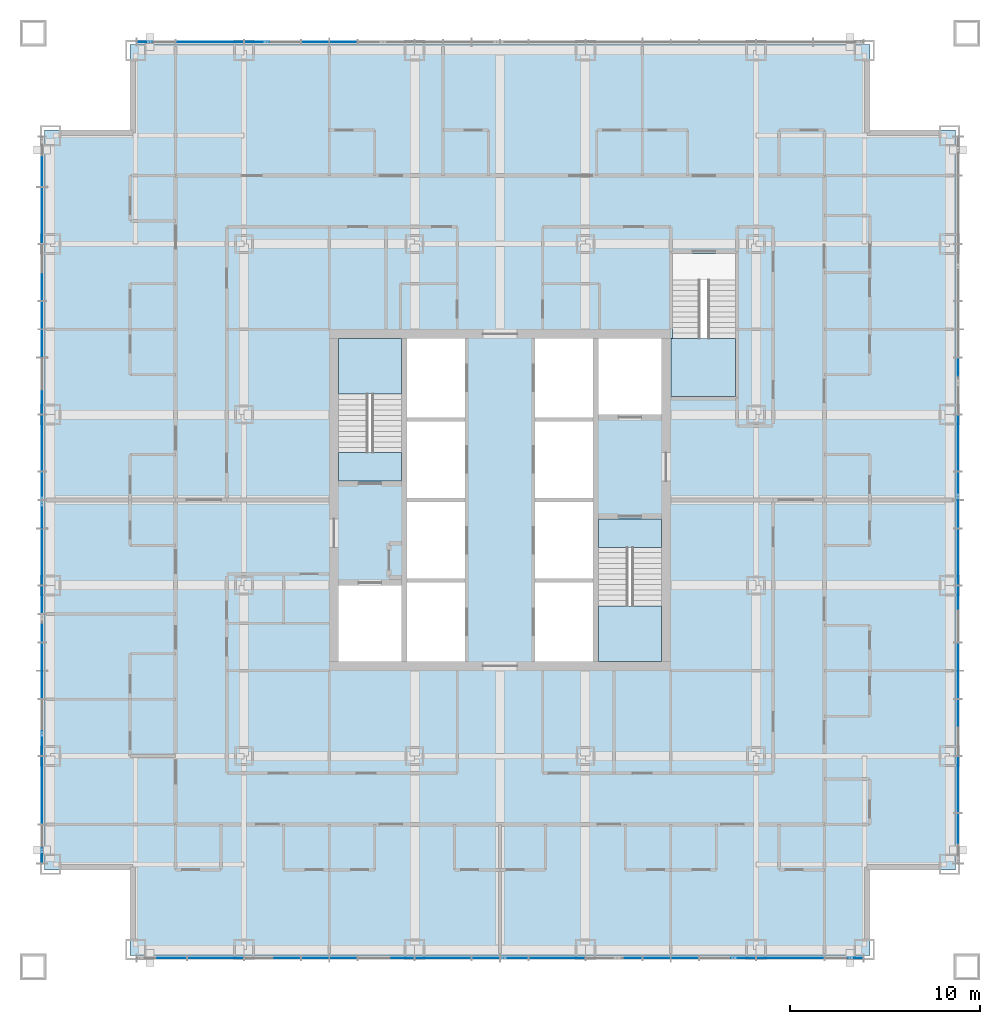
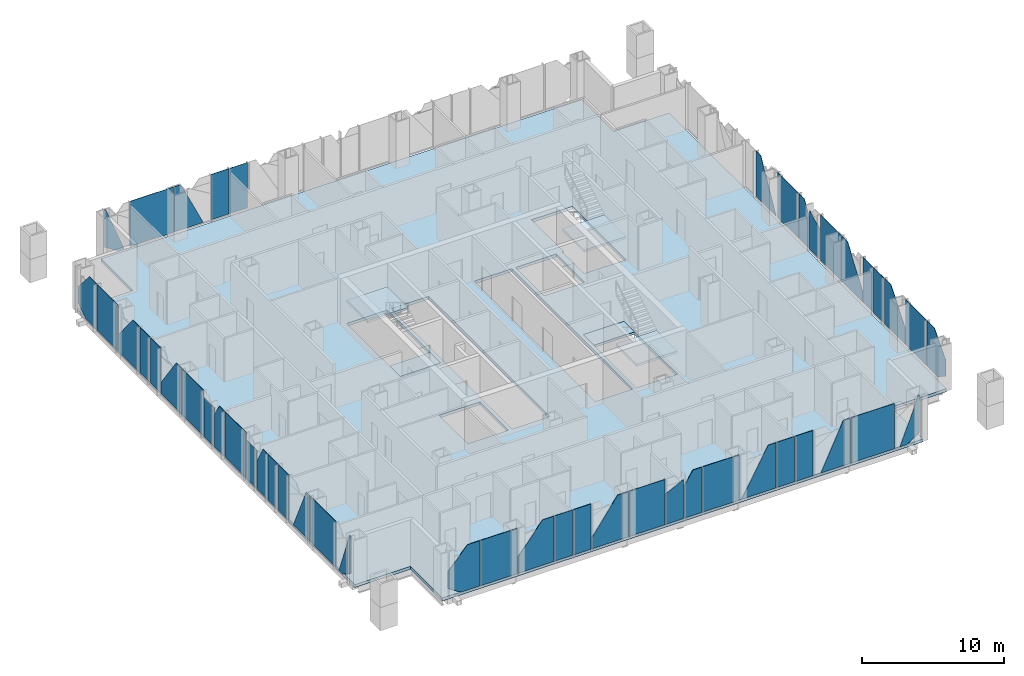
# One storey, part 7 of 23: 49 plates, 6 slabs, 7 elements without a shape of their own.
"""IFC4 building model written with IfcOpenShell, lengths in metres."""

from ifc_helpers import new_model, si_unit, direction, frame, origin, origin_2d, place, context, subcontext, project, spatial, polyline, rectangle, outline, extrude, material, layer, layer_set, type_object, element, aggregate, save


model = new_model("IFC4")

# Units and contexts
model_context = context("Model", 3, precision=1e-05, world=origin(), true_north=direction((0.0, 1.0)))
body_context = subcontext(model_context, "Body", "Model", "MODEL_VIEW")
ifc_project = project(units=[si_unit("LENGTHUNIT", "METRE"), si_unit("AREAUNIT", "SQUARE_METRE"), si_unit("VOLUMEUNIT", "CUBIC_METRE"), si_unit("PLANEANGLEUNIT", "RADIAN"), si_unit("MASSUNIT", "GRAM", prefix="KILO")], contexts=[model_context])

# Site, building, storey
site_placement = place(None, origin())
site = spatial("IfcSite", under=ifc_project, at=site_placement, CompositionType="ELEMENT")
building_placement = place(site_placement, origin())
building = spatial("IfcBuilding", under=site, at=building_placement, Name="Malebo Sky Hospital", CompositionType="ELEMENT")
storey_placement = place(building_placement, frame((0.0, 0.0, 168.0)))
storey = spatial("IfcBuildingStorey", under=building, at=storey_placement, Name="L40", CompositionType="ELEMENT", Elevation=168.0)

# Slab
ifc_material_1 = material(Name="Concrete C40/50", Category="concrete")
ifc_layer_1 = layer(ifc_material_1, 0.25)
ifc_layer_set_1 = layer_set([ifc_layer_1], Name="COMPOSITE FLOOR SLAB 250")
slab_type_1 = type_object("IfcSlabType", Name="COMPOSITE FLOOR SLAB 250", PredefinedType="FLOOR", material=ifc_layer_set_1)
slab_1_placement = place(storey_placement, frame((0.0, 0.0, -0.25)))
element("IfcSlab", 1, at=slab_1_placement, inside=storey, type_object=slab_type_1, Name="Floor slab L40", PredefinedType="FLOOR", context=body_context, shape_type="SweptSolid", body=[
    extrude(outline(polyline([(40.5, 86.0), (40.5, 81.5), (36.0, 81.5), (36.0, 42.5), (40.5, 42.5), (40.5, 38.0), (79.5, 38.0), (79.5, 42.5), (84.0, 42.5), (84.0, 81.5), (79.5, 81.5), (79.5, 86.0), (40.5, 86.0)]), holes=[polyline([(55.10009765625, 70.5), (58.14990234375, 70.5), (58.14990234375, 53.5), (55.10009765625, 53.5), (55.10009765625, 70.5)]), polyline([(64.89990234375, 70.5), (64.89990234375, 53.5), (61.85009765625, 53.5), (61.85009765625, 70.5), (64.89990234375, 70.5)]), polyline([(54.800048828125, 63.0), (51.5, 63.0), (51.5, 70.5), (54.800048828125, 70.5), (54.800048828125, 63.0)]), polyline([(51.5, 53.5), (51.5, 57.5), (54.800048828125, 57.5), (54.800048828125, 53.5), (51.5, 53.5)]), polyline([(65.199951171875, 61.0), (68.5, 61.0), (68.5, 53.5), (65.199951171875, 53.5), (65.199951171875, 61.0)]), polyline([(68.5, 70.5), (68.5, 66.5), (65.199951171875, 66.5), (65.199951171875, 70.5), (68.5, 70.5)]), polyline([(69.0, 67.449951171875), (69.0, 70.52001953125), (69.10009765625, 70.52001953125), (69.10009765625, 75.0), (72.39990234375, 75.0), (72.39990234375, 67.449951171875), (69.10009765625, 67.449951171875), (69.0, 67.449951171875)])]), origin(), (0.0, 0.0, 1.0), 0.25),
])

# Stair, slabs
stair_type_1 = type_object("IfcStairType", Name="HALF-TURN STAIR 1500 R167", PredefinedType="HALF_TURN_STAIR", material=ifc_material_1)
stair_1_placement = place(storey_placement, origin())
stair_1 = element("IfcStair", 2, at=stair_1_placement, inside=storey, type_object=stair_type_1, Name="Stair S1 L40 type ST1", PredefinedType="HALF_TURN_STAIR")
ifc_layer_2 = layer(ifc_material_1, 0.199951171875)
ifc_layer_set_2 = layer_set([ifc_layer_2], Name="STAIR LANDING 200")
slab_type_2 = type_object("IfcSlabType", Name="STAIR LANDING 200", PredefinedType="LANDING", material=ifc_layer_set_2)
slab_2_placement = place(storey_placement, frame((0.0, 0.0, -0.199951171875)))
slab_2 = element("IfcSlab", 3, at=slab_2_placement, type_object=slab_type_2, Name="S1 landing 1", PredefinedType="LANDING", context=body_context, shape_type="SweptSolid", body=[
    extrude(outline(polyline([(51.5, 63.0), (54.800048828125, 63.0), (54.800048828125, 64.5), (51.5, 64.5), (51.5, 63.0)])), origin(), (0.0, 0.0, 1.0), 0.199951171875),
])
slab_3_placement = place(storey_placement, frame((0.0, 0.0, 1.800048828125)))
slab_3 = element("IfcSlab", 4, at=slab_3_placement, type_object=slab_type_2, Name="S1 landing 2", PredefinedType="LANDING", context=body_context, shape_type="SweptSolid", body=[
    extrude(outline(polyline([(51.5, 67.580078125), (54.800048828125, 67.580078125), (54.800048828125, 70.5), (51.5, 70.5), (51.5, 67.580078125)])), origin(), (0.0, 0.0, 1.0), 0.199951171875),
])
aggregate(stair_1, [slab_2, slab_3])

stair_2_placement = place(storey_placement, origin())
stair_2 = element("IfcStair", 5, at=stair_2_placement, inside=storey, type_object=stair_type_1, Name="Stair S2 L40 type ST1", PredefinedType="HALF_TURN_STAIR")
slab_4_placement = place(storey_placement, frame((0.0, 0.0, -0.199951171875)))
slab_4 = element("IfcSlab", 6, at=slab_4_placement, type_object=slab_type_2, Name="S2 landing 1", PredefinedType="LANDING", context=body_context, shape_type="SweptSolid", body=[
    extrude(outline(polyline([(65.199951171875, 59.5), (68.5, 59.5), (68.5, 61.0), (65.199951171875, 61.0), (65.199951171875, 59.5)])), origin(), (0.0, 0.0, 1.0), 0.199951171875),
])
slab_5_placement = place(storey_placement, frame((0.0, 0.0, 1.800048828125)))
slab_5 = element("IfcSlab", 7, at=slab_5_placement, type_object=slab_type_2, Name="S2 landing 2", PredefinedType="LANDING", context=body_context, shape_type="SweptSolid", body=[
    extrude(outline(polyline([(65.199951171875, 53.5), (68.5, 53.5), (68.5, 56.419921875), (65.199951171875, 56.419921875), (65.199951171875, 53.5)])), origin(), (0.0, 0.0, 1.0), 0.199951171875),
])
aggregate(stair_2, [slab_4, slab_5])

# Stair, slab
stair_type_2 = type_object("IfcStairType", Name="HALF-TURN STAIR 1400 R167", PredefinedType="HALF_TURN_STAIR", material=ifc_material_1)
stair_3_placement = place(storey_placement, origin())
stair_3 = element("IfcStair", 8, at=stair_3_placement, inside=storey, type_object=stair_type_2, Name="Stair S3 L40 type ST1B", PredefinedType="HALF_TURN_STAIR")
slab_6_placement = place(storey_placement, frame((0.0, 0.0, 1.800048828125)))
slab_6 = element("IfcSlab", 9, at=slab_6_placement, type_object=slab_type_2, Name="S3 landing 2", PredefinedType="LANDING", context=body_context, shape_type="SweptSolid", body=[
    extrude(outline(polyline([(69.0, 67.449951171875), (72.39990234375, 67.449951171875), (72.39990234375, 70.52001953125), (69.0, 70.52001953125), (69.0, 67.449951171875)])), origin(), (0.0, 0.0, 1.0), 0.199951171875),
])
aggregate(stair_3, [slab_6])

# Curtain wall, plates
ifc_material_2 = material(Name="Anodised aluminium, natural silver", Category="aluminium")
ifc_layer_3 = layer(ifc_material_2, 0.25)
ifc_layer_set_3 = layer_set([ifc_layer_3], Name="WARD CURTAIN WALL NORTH AND SOUTH")
curtain_wall_type_1 = type_object("IfcCurtainWallType", Name="WARD CURTAIN WALL NORTH AND SOUTH", PredefinedType="NOTDEFINED", material=ifc_layer_set_3)
curtain_wall_1_placement = place(storey_placement, origin())
curtain_wall_1 = element("IfcCurtainWall", 10, at=curtain_wall_1_placement, inside=storey, type_object=curtain_wall_type_1, Name="NS curtain wall N", PredefinedType="NOTDEFINED")
ifc_material_3 = material(Name="Clear low-iron double glazing", Category="glass")
ifc_layer_4 = layer(ifc_material_3, 0.031982421875)
ifc_layer_set_4 = layer_set([ifc_layer_4], Name="VISION PANEL CLEAR 32")
plate_type = type_object("IfcPlateType", Name="VISION PANEL CLEAR 32", PredefinedType="CURTAIN_PANEL", material=ifc_layer_set_4)
plate_1_placement = place(storey_placement, frame((41.67724609375, 86.135009765625, 0.10009765625), z_axis=(0.0, 0.0, 1.0), x_axis=(1.0, 0.0, 0.0)))
plate_1 = element("IfcPlate", 11, at=plate_1_placement, type_object=plate_type, Name="Panel 1", PredefinedType="CURTAIN_PANEL", context=body_context, shape_type="SweptSolid", body=[
    extrude(outline(polyline([(0.25146484375, 0.0), (0.80224609375, 0.0), (-0.70458984375, 3.889892578125), (-0.80224609375, 3.889892578125), (-0.80224609375, 0.685302734375), (0.25146484375, 0.0)])), frame((0.0, 0.01611328125, 0.0), z_axis=(0.0, -1.0, 0.0), x_axis=(1.0, 0.0, 0.0)), (0.0, 0.0, 1.0), 0.031982421875),
])
plate_2_placement = place(storey_placement, frame((44.699951171875, 86.135009765625, 0.10009765625), z_axis=(0.0, 0.0, 1.0), x_axis=(1.0, 0.0, 0.0)))
plate_2 = element("IfcPlate", 12, at=plate_2_placement, type_object=plate_type, Name="Panel 2", PredefinedType="CURTAIN_PANEL", context=body_context, shape_type="SweptSolid", body=[
    extrude(rectangle(XDim=3.52490234375, YDim=0.031982421875, at=origin_2d()), origin(), (0.0, 0.0, 1.0), 3.889892578125),
])
plate_3_placement = place(storey_placement, frame((47.716796875, 86.135009765625, 0.10009765625), z_axis=(0.0, 0.0, 1.0), x_axis=(1.0, 0.0, 0.0)))
plate_3 = element("IfcPlate", 13, at=plate_3_placement, type_object=plate_type, Name="Panel 3", PredefinedType="CURTAIN_PANEL", context=body_context, shape_type="SweptSolid", body=[
    extrude(outline(polyline([(-1.17919921875, 0.0), (1.17919921875, 0.0), (-0.648193359375, 3.889892578125), (-1.17919921875, 3.889892578125), (-1.17919921875, 0.0)])), frame((0.0, 0.01611328125, 0.0), z_axis=(0.0, -1.0, 0.0), x_axis=(1.0, 0.0, 0.0)), (0.0, 0.0, 1.0), 0.031982421875),
])
plate_4_placement = place(storey_placement, frame((50.25, 86.135009765625, 0.10009765625), z_axis=(0.0, 0.0, 1.0), x_axis=(1.0, 0.0, 0.0)))
plate_4 = element("IfcPlate", 14, at=plate_4_placement, type_object=plate_type, Name="Panel 4", PredefinedType="CURTAIN_PANEL", context=body_context, shape_type="SweptSolid", body=[
    extrude(rectangle(XDim=1.425048828125, YDim=0.031982421875, at=origin_2d()), origin(), (0.0, 0.0, 1.0), 3.889892578125),
])
plate_5_placement = place(storey_placement, frame((51.75, 86.135009765625, 0.10009765625), z_axis=(0.0, 0.0, 1.0), x_axis=(1.0, 0.0, 0.0)))
plate_5 = element("IfcPlate", 15, at=plate_5_placement, type_object=plate_type, Name="Panel 5", PredefinedType="CURTAIN_PANEL", context=body_context, shape_type="SweptSolid", body=[
    extrude(rectangle(XDim=1.425048828125, YDim=0.031982421875, at=origin_2d()), origin(), (0.0, 0.0, 1.0), 3.889892578125),
])
aggregate(curtain_wall_1, [plate_1, plate_2, plate_3, plate_4, plate_5])

ifc_layer_5 = layer(ifc_material_2, 0.25)
ifc_layer_set_5 = layer_set([ifc_layer_5], Name="WARD CURTAIN WALL EAST AND WEST")
curtain_wall_type_2 = type_object("IfcCurtainWallType", Name="WARD CURTAIN WALL EAST AND WEST", PredefinedType="NOTDEFINED", material=ifc_layer_set_5)
curtain_wall_2_placement = place(storey_placement, origin())
curtain_wall_2 = element("IfcCurtainWall", 16, at=curtain_wall_2_placement, inside=storey, type_object=curtain_wall_type_2, Name="EW curtain wall W", PredefinedType="NOTDEFINED")
plate_6_placement = place(storey_placement, frame((35.864990234375, 43.67724609375, 0.10009765625), z_axis=(0.0, 0.0, 1.0), x_axis=(0.0, 1.0, 0.0)))
plate_6 = element("IfcPlate", 17, at=plate_6_placement, type_object=plate_type, Name="Panel 1", PredefinedType="CURTAIN_PANEL", context=body_context, shape_type="SweptSolid", body=[
    extrude(outline(polyline([(0.25146484375, 0.0), (0.80224609375, 0.0), (-0.70458984375, 3.889892578125), (-0.80224609375, 3.889892578125), (-0.80224609375, 0.685302734375), (0.25146484375, 0.0)])), frame((0.0, 0.01611328125, 0.0), z_axis=(0.0, -1.0, 0.0), x_axis=(1.0, 0.0, 0.0)), (0.0, 0.0, 1.0), 0.031982421875),
])
plate_7_placement = place(storey_placement, frame((35.864990234375, 46.699951171875, 0.10009765625), z_axis=(0.0, 0.0, 1.0), x_axis=(0.0, 1.0, 0.0)))
plate_7 = element("IfcPlate", 18, at=plate_7_placement, type_object=plate_type, Name="Panel 2", PredefinedType="CURTAIN_PANEL", context=body_context, shape_type="SweptSolid", body=[
    extrude(rectangle(XDim=3.52490234375, YDim=0.031982421875, at=origin_2d()), origin(), (0.0, 0.0, 1.0), 3.889892578125),
])
plate_8_placement = place(storey_placement, frame((35.864990234375, 49.716796875, 0.10009765625), z_axis=(0.0, 0.0, 1.0), x_axis=(0.0, 1.0, 0.0)))
plate_8 = element("IfcPlate", 19, at=plate_8_placement, type_object=plate_type, Name="Panel 3", PredefinedType="CURTAIN_PANEL", context=body_context, shape_type="SweptSolid", body=[
    extrude(outline(polyline([(-1.17919921875, 0.0), (1.17919921875, 0.0), (-0.648193359375, 3.889892578125), (-1.17919921875, 3.889892578125), (-1.17919921875, 0.0)])), frame((0.0, 0.01611328125, 0.0), z_axis=(0.0, -1.0, 0.0), x_axis=(1.0, 0.0, 0.0)), (0.0, 0.0, 1.0), 0.031982421875),
])
plate_9_placement = place(storey_placement, frame((35.864990234375, 52.25, 0.10009765625), z_axis=(0.0, 0.0, 1.0), x_axis=(0.0, 1.0, 0.0)))
plate_9 = element("IfcPlate", 20, at=plate_9_placement, type_object=plate_type, Name="Panel 4", PredefinedType="CURTAIN_PANEL", context=body_context, shape_type="SweptSolid", body=[
    extrude(rectangle(XDim=1.425048828125, YDim=0.031982421875, at=origin_2d()), origin(), (0.0, 0.0, 1.0), 3.889892578125),
])
plate_10_placement = place(storey_placement, frame((35.864990234375, 53.75, 0.10009765625), z_axis=(0.0, 0.0, 1.0), x_axis=(0.0, 1.0, 0.0)))
plate_10 = element("IfcPlate", 21, at=plate_10_placement, type_object=plate_type, Name="Panel 5", PredefinedType="CURTAIN_PANEL", context=body_context, shape_type="SweptSolid", body=[
    extrude(rectangle(XDim=1.425048828125, YDim=0.031982421875, at=origin_2d()), origin(), (0.0, 0.0, 1.0), 3.889892578125),
])
plate_11_placement = place(storey_placement, frame((35.864990234375, 55.25, 0.10009765625), z_axis=(0.0, 0.0, 1.0), x_axis=(0.0, 1.0, 0.0)))
plate_11 = element("IfcPlate", 22, at=plate_11_placement, type_object=plate_type, Name="Panel 6", PredefinedType="CURTAIN_PANEL", context=body_context, shape_type="SweptSolid", body=[
    extrude(outline(polyline([(-0.71240234375, 0.0), (0.71240234375, 0.0), (0.71240234375, 2.449951171875), (-0.082763671875, 3.889892578125), (-0.71240234375, 3.889892578125), (-0.71240234375, 0.0)])), frame((0.0, 0.01611328125, 0.0), z_axis=(0.0, -1.0, 0.0), x_axis=(1.0, 0.0, 0.0)), (0.0, 0.0, 1.0), 0.031982421875),
])
plate_12_placement = place(storey_placement, frame((35.864990234375, 56.75, 0.10009765625), z_axis=(0.0, 0.0, 1.0), x_axis=(0.0, 1.0, 0.0)))
plate_12 = element("IfcPlate", 23, at=plate_12_placement, type_object=plate_type, Name="Panel 7", PredefinedType="CURTAIN_PANEL", context=body_context, shape_type="SweptSolid", body=[
    extrude(outline(polyline([(-0.71240234375, 0.0), (0.71240234375, 0.0), (0.71240234375, 3.25439453125), (-0.71240234375, 3.25439453125), (-0.71240234375, 0.0)])), frame((0.0, 0.01611328125, 0.0), z_axis=(0.0, -1.0, 0.0), x_axis=(1.0, 0.0, 0.0)), (0.0, 0.0, 1.0), 0.031982421875),
])
plate_13_placement = place(storey_placement, frame((35.864990234375, 59.0, 0.10009765625), z_axis=(0.0, 0.0, 1.0), x_axis=(0.0, 1.0, 0.0)))
plate_13 = element("IfcPlate", 24, at=plate_13_placement, type_object=plate_type, Name="Panel 8", PredefinedType="CURTAIN_PANEL", context=body_context, shape_type="SweptSolid", body=[
    extrude(rectangle(XDim=2.925048828125, YDim=0.031982421875, at=origin_2d()), origin(), (0.0, 0.0, 1.0), 3.889892578125),
])
plate_14_placement = place(storey_placement, frame((35.864990234375, 61.25, 0.10009765625), z_axis=(0.0, 0.0, 1.0), x_axis=(0.0, 1.0, 0.0)))
plate_14 = element("IfcPlate", 25, at=plate_14_placement, type_object=plate_type, Name="Panel 9", PredefinedType="CURTAIN_PANEL", context=body_context, shape_type="SweptSolid", body=[
    extrude(outline(polyline([(-0.71240234375, 0.0), (0.71240234375, 0.0), (0.71240234375, 2.79345703125), (0.0166015625, 3.889892578125), (-0.71240234375, 3.889892578125), (-0.71240234375, 0.0)])), frame((0.0, 0.01611328125, 0.0), z_axis=(0.0, -1.0, 0.0), x_axis=(1.0, 0.0, 0.0)), (0.0, 0.0, 1.0), 0.031982421875),
])
plate_15_placement = place(storey_placement, frame((35.864990234375, 62.75, 0.10009765625), z_axis=(0.0, 0.0, 1.0), x_axis=(0.0, 1.0, 0.0)))
plate_15 = element("IfcPlate", 26, at=plate_15_placement, type_object=plate_type, Name="Panel 10", PredefinedType="CURTAIN_PANEL", context=body_context, shape_type="SweptSolid", body=[
    extrude(outline(polyline([(-0.71240234375, 0.0), (0.71240234375, 0.0), (0.71240234375, 3.267822265625), (-0.71240234375, 3.267822265625), (-0.71240234375, 0.0)])), frame((0.0, 0.01611328125, 0.0), z_axis=(0.0, -1.0, 0.0), x_axis=(1.0, 0.0, 0.0)), (0.0, 0.0, 1.0), 0.031982421875),
])
plate_16_placement = place(storey_placement, frame((35.864990234375, 65.0, 0.10009765625), z_axis=(0.0, 0.0, 1.0), x_axis=(0.0, 1.0, 0.0)))
plate_16 = element("IfcPlate", 27, at=plate_16_placement, type_object=plate_type, Name="Panel 11", PredefinedType="CURTAIN_PANEL", context=body_context, shape_type="SweptSolid", body=[
    extrude(rectangle(XDim=2.925048828125, YDim=0.031982421875, at=origin_2d()), origin(), (0.0, 0.0, 1.0), 3.889892578125),
])
plate_17_placement = place(storey_placement, frame((35.864990234375, 68.0, 0.10009765625), z_axis=(0.0, 0.0, 1.0), x_axis=(0.0, 1.0, 0.0)))
plate_17 = element("IfcPlate", 28, at=plate_17_placement, type_object=plate_type, Name="Panel 12", PredefinedType="CURTAIN_PANEL", context=body_context, shape_type="SweptSolid", body=[
    extrude(outline(polyline([(-1.46240234375, 0.0), (1.46240234375, 0.0), (1.46240234375, 0.96630859375), (-0.634033203125, 3.889892578125), (-1.46240234375, 3.889892578125), (-1.46240234375, 0.0)])), frame((0.0, 0.01611328125, 0.0), z_axis=(0.0, -1.0, 0.0), x_axis=(1.0, 0.0, 0.0)), (0.0, 0.0, 1.0), 0.031982421875),
])
plate_18_placement = place(storey_placement, frame((35.864990234375, 70.25, 0.10009765625), z_axis=(0.0, 0.0, 1.0), x_axis=(0.0, 1.0, 0.0)))
plate_18 = element("IfcPlate", 29, at=plate_18_placement, type_object=plate_type, Name="Panel 13", PredefinedType="CURTAIN_PANEL", context=body_context, shape_type="SweptSolid", body=[
    extrude(rectangle(XDim=1.425048828125, YDim=0.031982421875, at=origin_2d()), origin(), (0.0, 0.0, 1.0), 3.889892578125),
])
plate_19_placement = place(storey_placement, frame((35.864990234375, 71.75, 0.10009765625), z_axis=(0.0, 0.0, 1.0), x_axis=(0.0, 1.0, 0.0)))
plate_19 = element("IfcPlate", 30, at=plate_19_placement, type_object=plate_type, Name="Panel 14", PredefinedType="CURTAIN_PANEL", context=body_context, shape_type="SweptSolid", body=[
    extrude(rectangle(XDim=1.425048828125, YDim=0.031982421875, at=origin_2d()), origin(), (0.0, 0.0, 1.0), 3.889892578125),
])
plate_20_placement = place(storey_placement, frame((35.864990234375, 74.0, 0.10009765625), z_axis=(0.0, 0.0, 1.0), x_axis=(0.0, 1.0, 0.0)))
plate_20 = element("IfcPlate", 31, at=plate_20_placement, type_object=plate_type, Name="Panel 15", PredefinedType="CURTAIN_PANEL", context=body_context, shape_type="SweptSolid", body=[
    extrude(outline(polyline([(-1.46240234375, 0.0), (1.46240234375, 0.0), (1.46240234375, 1.3916015625), (-0.534912109375, 3.889892578125), (-1.46240234375, 3.889892578125), (-1.46240234375, 0.0)])), frame((0.0, 0.01611328125, 0.0), z_axis=(0.0, -1.0, 0.0), x_axis=(1.0, 0.0, 0.0)), (0.0, 0.0, 1.0), 0.031982421875),
])
plate_21_placement = place(storey_placement, frame((35.864990234375, 77.0, 0.10009765625), z_axis=(0.0, 0.0, 1.0), x_axis=(0.0, 1.0, 0.0)))
plate_21 = element("IfcPlate", 32, at=plate_21_placement, type_object=plate_type, Name="Panel 16", PredefinedType="CURTAIN_PANEL", context=body_context, shape_type="SweptSolid", body=[
    extrude(rectangle(XDim=2.925048828125, YDim=0.031982421875, at=origin_2d()), origin(), (0.0, 0.0, 1.0), 3.889892578125),
])
plate_22_placement = place(storey_placement, frame((35.864990234375, 79.831298828125, 0.10009765625), z_axis=(0.0, 0.0, 1.0), x_axis=(0.0, 1.0, 0.0)))
plate_22 = element("IfcPlate", 33, at=plate_22_placement, type_object=plate_type, Name="Panel 17", PredefinedType="CURTAIN_PANEL", context=body_context, shape_type="SweptSolid", body=[
    extrude(outline(polyline([(-1.293701171875, 0.0), (0.240234375, 0.0), (1.293701171875, 0.685302734375), (1.293701171875, 2.118896484375), (-0.26806640625, 3.889892578125), (-1.293701171875, 3.889892578125), (-1.293701171875, 0.0)])), frame((0.0, 0.01611328125, 0.0), z_axis=(0.0, -1.0, 0.0), x_axis=(1.0, 0.0, 0.0)), (0.0, 0.0, 1.0), 0.031982421875),
])
aggregate(curtain_wall_2, [plate_6, plate_7, plate_8, plate_9, plate_10, plate_11, plate_12, plate_13, plate_14, plate_15, plate_16, plate_17, plate_18, plate_19, plate_20, plate_21, plate_22])

curtain_wall_3_placement = place(storey_placement, origin())
curtain_wall_3 = element("IfcCurtainWall", 34, at=curtain_wall_3_placement, inside=storey, type_object=curtain_wall_type_1, Name="NS curtain wall S", PredefinedType="NOTDEFINED")
plate_23_placement = place(storey_placement, frame((78.32275390625, 37.864990234375, 0.10009765625), z_axis=(0.0, 0.0, 1.0), x_axis=(-1.0, 0.0, 0.0)))
plate_23 = element("IfcPlate", 35, at=plate_23_placement, type_object=plate_type, Name="Panel 1", PredefinedType="CURTAIN_PANEL", context=body_context, shape_type="SweptSolid", body=[
    extrude(outline(polyline([(0.25146484375, 0.0), (0.80224609375, 0.0), (-0.70458984375, 3.889892578125), (-0.80224609375, 3.889892578125), (-0.80224609375, 0.685302734375), (0.25146484375, 0.0)])), frame((0.0, 0.01611328125, 0.0), z_axis=(0.0, -1.0, 0.0), x_axis=(1.0, 0.0, 0.0)), (0.0, 0.0, 1.0), 0.031982421875),
])
plate_24_placement = place(storey_placement, frame((75.300048828125, 37.864990234375, 0.10009765625), z_axis=(0.0, 0.0, 1.0), x_axis=(-1.0, 0.0, 0.0)))
plate_24 = element("IfcPlate", 36, at=plate_24_placement, type_object=plate_type, Name="Panel 2", PredefinedType="CURTAIN_PANEL", context=body_context, shape_type="SweptSolid", body=[
    extrude(rectangle(XDim=3.52490234375, YDim=0.031982421875, at=origin_2d()), origin(), (0.0, 0.0, 1.0), 3.889892578125),
])
plate_25_placement = place(storey_placement, frame((72.283203125, 37.864990234375, 0.10009765625), z_axis=(0.0, 0.0, 1.0), x_axis=(-1.0, 0.0, 0.0)))
plate_25 = element("IfcPlate", 37, at=plate_25_placement, type_object=plate_type, Name="Panel 3", PredefinedType="CURTAIN_PANEL", context=body_context, shape_type="SweptSolid", body=[
    extrude(outline(polyline([(-1.17919921875, 0.0), (1.17919921875, 0.0), (-0.648193359375, 3.889892578125), (-1.17919921875, 3.889892578125), (-1.17919921875, 0.0)])), frame((0.0, 0.01611328125, 0.0), z_axis=(0.0, -1.0, 0.0), x_axis=(1.0, 0.0, 0.0)), (0.0, 0.0, 1.0), 0.031982421875),
])
plate_26_placement = place(storey_placement, frame((69.75, 37.864990234375, 0.10009765625), z_axis=(0.0, 0.0, 1.0), x_axis=(-1.0, 0.0, 0.0)))
plate_26 = element("IfcPlate", 38, at=plate_26_placement, type_object=plate_type, Name="Panel 4", PredefinedType="CURTAIN_PANEL", context=body_context, shape_type="SweptSolid", body=[
    extrude(rectangle(XDim=1.425048828125, YDim=0.031982421875, at=origin_2d()), origin(), (0.0, 0.0, 1.0), 3.889892578125),
])
plate_27_placement = place(storey_placement, frame((68.25, 37.864990234375, 0.10009765625), z_axis=(0.0, 0.0, 1.0), x_axis=(-1.0, 0.0, 0.0)))
plate_27 = element("IfcPlate", 39, at=plate_27_placement, type_object=plate_type, Name="Panel 5", PredefinedType="CURTAIN_PANEL", context=body_context, shape_type="SweptSolid", body=[
    extrude(rectangle(XDim=1.425048828125, YDim=0.031982421875, at=origin_2d()), origin(), (0.0, 0.0, 1.0), 3.889892578125),
])
plate_28_placement = place(storey_placement, frame((66.073486328125, 37.864990234375, 0.10009765625), z_axis=(0.0, 0.0, 1.0), x_axis=(-1.0, 0.0, 0.0)))
plate_28 = element("IfcPlate", 40, at=plate_28_placement, type_object=plate_type, Name="Panel 6", PredefinedType="CURTAIN_PANEL", context=body_context, shape_type="SweptSolid", body=[
    extrude(outline(polyline([(-1.388916015625, 0.0), (1.388916015625, 0.0), (-0.75927734375, 3.889892578125), (-1.388916015625, 3.889892578125), (-1.388916015625, 0.0)])), frame((0.0, 0.01611328125, 0.0), z_axis=(0.0, -1.0, 0.0), x_axis=(1.0, 0.0, 0.0)), (0.0, 0.0, 1.0), 0.031982421875),
])
plate_29_placement = place(storey_placement, frame((63.0, 37.864990234375, 0.10009765625), z_axis=(0.0, 0.0, 1.0), x_axis=(-1.0, 0.0, 0.0)))
plate_29 = element("IfcPlate", 41, at=plate_29_placement, type_object=plate_type, Name="Panel 7", PredefinedType="CURTAIN_PANEL", context=body_context, shape_type="SweptSolid", body=[
    extrude(rectangle(XDim=2.925048828125, YDim=0.031982421875, at=origin_2d()), origin(), (0.0, 0.0, 1.0), 3.889892578125),
])
plate_30_placement = place(storey_placement, frame((60.75, 37.864990234375, 0.10009765625), z_axis=(0.0, 0.0, 1.0), x_axis=(-1.0, 0.0, 0.0)))
plate_30 = element("IfcPlate", 42, at=plate_30_placement, type_object=plate_type, Name="Panel 8", PredefinedType="CURTAIN_PANEL", context=body_context, shape_type="SweptSolid", body=[
    extrude(outline(polyline([(-0.71240234375, 0.0), (0.71240234375, 0.0), (0.71240234375, 2.79345703125), (0.0166015625, 3.889892578125), (-0.71240234375, 3.889892578125), (-0.71240234375, 0.0)])), frame((0.0, 0.01611328125, 0.0), z_axis=(0.0, -1.0, 0.0), x_axis=(1.0, 0.0, 0.0)), (0.0, 0.0, 1.0), 0.031982421875),
])
plate_31_placement = place(storey_placement, frame((59.25, 37.864990234375, 0.099853515625), z_axis=(0.0, 0.0, 1.0), x_axis=(-1.0, 0.0, 0.0)))
plate_31 = element("IfcPlate", 43, at=plate_31_placement, type_object=plate_type, Name="Panel 9", PredefinedType="CURTAIN_PANEL", context=body_context, shape_type="SweptSolid", body=[
    extrude(outline(polyline([(-0.71240234375, 0.0), (0.71240234375, 0.0), (0.71240234375, 2.638427734375), (-0.71240234375, 3.33935546875), (-0.71240234375, 0.0)])), frame((0.0, 0.01611328125, 0.0), z_axis=(0.0, -1.0, 0.0), x_axis=(1.0, 0.0, 0.0)), (0.0, 0.0, 1.0), 0.031982421875),
])
plate_32_placement = place(storey_placement, frame((57.0, 37.864990234375, 0.10009765625), z_axis=(0.0, 0.0, 1.0), x_axis=(-1.0, 0.0, 0.0)))
plate_32 = element("IfcPlate", 44, at=plate_32_placement, type_object=plate_type, Name="Panel 10", PredefinedType="CURTAIN_PANEL", context=body_context, shape_type="SweptSolid", body=[
    extrude(rectangle(XDim=2.925048828125, YDim=0.031982421875, at=origin_2d()), origin(), (0.0, 0.0, 1.0), 3.889892578125),
])
plate_33_placement = place(storey_placement, frame((54.0, 37.864990234375, 0.10009765625), z_axis=(0.0, 0.0, 1.0), x_axis=(-1.0, 0.0, 0.0)))
plate_33 = element("IfcPlate", 45, at=plate_33_placement, type_object=plate_type, Name="Panel 11", PredefinedType="CURTAIN_PANEL", context=body_context, shape_type="SweptSolid", body=[
    extrude(outline(polyline([(-1.46240234375, 0.0), (1.46240234375, 0.0), (1.46240234375, 0.96630859375), (-0.634033203125, 3.889892578125), (-1.46240234375, 3.889892578125), (-1.46240234375, 0.0)])), frame((0.0, 0.01611328125, 0.0), z_axis=(0.0, -1.0, 0.0), x_axis=(1.0, 0.0, 0.0)), (0.0, 0.0, 1.0), 0.031982421875),
])
plate_34_placement = place(storey_placement, frame((51.75, 37.864990234375, 0.10009765625), z_axis=(0.0, 0.0, 1.0), x_axis=(-1.0, 0.0, 0.0)))
plate_34 = element("IfcPlate", 46, at=plate_34_placement, type_object=plate_type, Name="Panel 12", PredefinedType="CURTAIN_PANEL", context=body_context, shape_type="SweptSolid", body=[
    extrude(rectangle(XDim=1.425048828125, YDim=0.031982421875, at=origin_2d()), origin(), (0.0, 0.0, 1.0), 3.889892578125),
])
plate_35_placement = place(storey_placement, frame((50.25, 37.864990234375, 0.10009765625), z_axis=(0.0, 0.0, 1.0), x_axis=(-1.0, 0.0, 0.0)))
plate_35 = element("IfcPlate", 47, at=plate_35_placement, type_object=plate_type, Name="Panel 13", PredefinedType="CURTAIN_PANEL", context=body_context, shape_type="SweptSolid", body=[
    extrude(rectangle(XDim=1.425048828125, YDim=0.031982421875, at=origin_2d()), origin(), (0.0, 0.0, 1.0), 3.889892578125),
])
plate_36_placement = place(storey_placement, frame((48.0, 37.864990234375, 0.10009765625), z_axis=(0.0, 0.0, 1.0), x_axis=(-1.0, 0.0, 0.0)))
plate_36 = element("IfcPlate", 48, at=plate_36_placement, type_object=plate_type, Name="Panel 14", PredefinedType="CURTAIN_PANEL", context=body_context, shape_type="SweptSolid", body=[
    extrude(outline(polyline([(-1.46240234375, 0.0), (1.46240234375, 0.0), (1.46240234375, 1.3916015625), (-0.534912109375, 3.889892578125), (-1.46240234375, 3.889892578125), (-1.46240234375, 0.0)])), frame((0.0, 0.01611328125, 0.0), z_axis=(0.0, -1.0, 0.0), x_axis=(1.0, 0.0, 0.0)), (0.0, 0.0, 1.0), 0.031982421875),
])
plate_37_placement = place(storey_placement, frame((45.0, 37.864990234375, 0.10009765625), z_axis=(0.0, 0.0, 1.0), x_axis=(-1.0, 0.0, 0.0)))
plate_37 = element("IfcPlate", 49, at=plate_37_placement, type_object=plate_type, Name="Panel 15", PredefinedType="CURTAIN_PANEL", context=body_context, shape_type="SweptSolid", body=[
    extrude(rectangle(XDim=2.925048828125, YDim=0.031982421875, at=origin_2d()), origin(), (0.0, 0.0, 1.0), 3.889892578125),
])
plate_38_placement = place(storey_placement, frame((42.168701171875, 37.864990234375, 0.10009765625), z_axis=(0.0, 0.0, 1.0), x_axis=(-1.0, 0.0, 0.0)))
plate_38 = element("IfcPlate", 50, at=plate_38_placement, type_object=plate_type, Name="Panel 16", PredefinedType="CURTAIN_PANEL", context=body_context, shape_type="SweptSolid", body=[
    extrude(outline(polyline([(-1.293701171875, 0.0), (0.240234375, 0.0), (1.293701171875, 0.685302734375), (1.293701171875, 2.118896484375), (-0.26806640625, 3.889892578125), (-1.293701171875, 3.889892578125), (-1.293701171875, 0.0)])), frame((0.0, 0.01611328125, 0.0), z_axis=(0.0, -1.0, 0.0), x_axis=(1.0, 0.0, 0.0)), (0.0, 0.0, 1.0), 0.031982421875),
])
aggregate(curtain_wall_3, [plate_23, plate_24, plate_25, plate_26, plate_27, plate_28, plate_29, plate_30, plate_31, plate_32, plate_33, plate_34, plate_35, plate_36, plate_37, plate_38])

curtain_wall_4_placement = place(storey_placement, origin())
curtain_wall_4 = element("IfcCurtainWall", 51, at=curtain_wall_4_placement, inside=storey, type_object=curtain_wall_type_2, Name="EW curtain wall E", PredefinedType="NOTDEFINED")
plate_39_placement = place(storey_placement, frame((84.135009765625, 68.073486328125, 0.10009765625), z_axis=(0.0, 0.0, 1.0), x_axis=(0.0, -1.0, 0.0)))
plate_39 = element("IfcPlate", 52, at=plate_39_placement, type_object=plate_type, Name="Panel 6", PredefinedType="CURTAIN_PANEL", context=body_context, shape_type="SweptSolid", body=[
    extrude(outline(polyline([(-1.388916015625, 0.0), (1.388916015625, 0.0), (-0.75927734375, 3.889892578125), (-1.388916015625, 3.889892578125), (-1.388916015625, 0.0)])), frame((0.0, 0.01611328125, 0.0), z_axis=(0.0, -1.0, 0.0), x_axis=(1.0, 0.0, 0.0)), (0.0, 0.0, 1.0), 0.031982421875),
])
plate_40_placement = place(storey_placement, frame((84.135009765625, 65.0, 0.10009765625), z_axis=(0.0, 0.0, 1.0), x_axis=(0.0, -1.0, 0.0)))
plate_40 = element("IfcPlate", 53, at=plate_40_placement, type_object=plate_type, Name="Panel 7", PredefinedType="CURTAIN_PANEL", context=body_context, shape_type="SweptSolid", body=[
    extrude(rectangle(XDim=2.925048828125, YDim=0.031982421875, at=origin_2d()), origin(), (0.0, 0.0, 1.0), 3.889892578125),
])
plate_41_placement = place(storey_placement, frame((84.135009765625, 62.75, 0.10009765625), z_axis=(0.0, 0.0, 1.0), x_axis=(0.0, -1.0, 0.0)))
plate_41 = element("IfcPlate", 54, at=plate_41_placement, type_object=plate_type, Name="Panel 8", PredefinedType="CURTAIN_PANEL", context=body_context, shape_type="SweptSolid", body=[
    extrude(outline(polyline([(-0.71240234375, 0.0), (0.71240234375, 0.0), (0.71240234375, 2.79345703125), (0.0166015625, 3.889892578125), (-0.71240234375, 3.889892578125), (-0.71240234375, 0.0)])), frame((0.0, 0.01611328125, 0.0), z_axis=(0.0, -1.0, 0.0), x_axis=(1.0, 0.0, 0.0)), (0.0, 0.0, 1.0), 0.031982421875),
])
plate_42_placement = place(storey_placement, frame((84.135009765625, 61.25, 0.099853515625), z_axis=(0.0, 0.0, 1.0), x_axis=(0.0, -1.0, 0.0)))
plate_42 = element("IfcPlate", 55, at=plate_42_placement, type_object=plate_type, Name="Panel 9", PredefinedType="CURTAIN_PANEL", context=body_context, shape_type="SweptSolid", body=[
    extrude(outline(polyline([(-0.71240234375, 0.0), (0.71240234375, 0.0), (0.71240234375, 2.638427734375), (-0.71240234375, 3.33935546875), (-0.71240234375, 0.0)])), frame((0.0, 0.01611328125, 0.0), z_axis=(0.0, -1.0, 0.0), x_axis=(1.0, 0.0, 0.0)), (0.0, 0.0, 1.0), 0.031982421875),
])
plate_43_placement = place(storey_placement, frame((84.135009765625, 59.0, 0.10009765625), z_axis=(0.0, 0.0, 1.0), x_axis=(0.0, -1.0, 0.0)))
plate_43 = element("IfcPlate", 56, at=plate_43_placement, type_object=plate_type, Name="Panel 10", PredefinedType="CURTAIN_PANEL", context=body_context, shape_type="SweptSolid", body=[
    extrude(rectangle(XDim=2.925048828125, YDim=0.031982421875, at=origin_2d()), origin(), (0.0, 0.0, 1.0), 3.889892578125),
])
plate_44_placement = place(storey_placement, frame((84.135009765625, 56.0, 0.10009765625), z_axis=(0.0, 0.0, 1.0), x_axis=(0.0, -1.0, 0.0)))
plate_44 = element("IfcPlate", 57, at=plate_44_placement, type_object=plate_type, Name="Panel 11", PredefinedType="CURTAIN_PANEL", context=body_context, shape_type="SweptSolid", body=[
    extrude(outline(polyline([(-1.46240234375, 0.0), (1.46240234375, 0.0), (1.46240234375, 0.96630859375), (-0.634033203125, 3.889892578125), (-1.46240234375, 3.889892578125), (-1.46240234375, 0.0)])), frame((0.0, 0.01611328125, 0.0), z_axis=(0.0, -1.0, 0.0), x_axis=(1.0, 0.0, 0.0)), (0.0, 0.0, 1.0), 0.031982421875),
])
plate_45_placement = place(storey_placement, frame((84.135009765625, 53.75, 0.10009765625), z_axis=(0.0, 0.0, 1.0), x_axis=(0.0, -1.0, 0.0)))
plate_45 = element("IfcPlate", 58, at=plate_45_placement, type_object=plate_type, Name="Panel 12", PredefinedType="CURTAIN_PANEL", context=body_context, shape_type="SweptSolid", body=[
    extrude(rectangle(XDim=1.425048828125, YDim=0.031982421875, at=origin_2d()), origin(), (0.0, 0.0, 1.0), 3.889892578125),
])
plate_46_placement = place(storey_placement, frame((84.135009765625, 52.25, 0.10009765625), z_axis=(0.0, 0.0, 1.0), x_axis=(0.0, -1.0, 0.0)))
plate_46 = element("IfcPlate", 59, at=plate_46_placement, type_object=plate_type, Name="Panel 13", PredefinedType="CURTAIN_PANEL", context=body_context, shape_type="SweptSolid", body=[
    extrude(rectangle(XDim=1.425048828125, YDim=0.031982421875, at=origin_2d()), origin(), (0.0, 0.0, 1.0), 3.889892578125),
])
plate_47_placement = place(storey_placement, frame((84.135009765625, 50.0, 0.10009765625), z_axis=(0.0, 0.0, 1.0), x_axis=(0.0, -1.0, 0.0)))
plate_47 = element("IfcPlate", 60, at=plate_47_placement, type_object=plate_type, Name="Panel 14", PredefinedType="CURTAIN_PANEL", context=body_context, shape_type="SweptSolid", body=[
    extrude(outline(polyline([(-1.46240234375, 0.0), (1.46240234375, 0.0), (1.46240234375, 1.3916015625), (-0.534912109375, 3.889892578125), (-1.46240234375, 3.889892578125), (-1.46240234375, 0.0)])), frame((0.0, 0.01611328125, 0.0), z_axis=(0.0, -1.0, 0.0), x_axis=(1.0, 0.0, 0.0)), (0.0, 0.0, 1.0), 0.031982421875),
])
plate_48_placement = place(storey_placement, frame((84.135009765625, 47.0, 0.10009765625), z_axis=(0.0, 0.0, 1.0), x_axis=(0.0, -1.0, 0.0)))
plate_48 = element("IfcPlate", 61, at=plate_48_placement, type_object=plate_type, Name="Panel 15", PredefinedType="CURTAIN_PANEL", context=body_context, shape_type="SweptSolid", body=[
    extrude(rectangle(XDim=2.925048828125, YDim=0.031982421875, at=origin_2d()), origin(), (0.0, 0.0, 1.0), 3.889892578125),
])
plate_49_placement = place(storey_placement, frame((84.135009765625, 44.168701171875, 0.10009765625), z_axis=(0.0, 0.0, 1.0), x_axis=(0.0, -1.0, 0.0)))
plate_49 = element("IfcPlate", 62, at=plate_49_placement, type_object=plate_type, Name="Panel 16", PredefinedType="CURTAIN_PANEL", context=body_context, shape_type="SweptSolid", body=[
    extrude(outline(polyline([(-1.293701171875, 0.0), (0.240234375, 0.0), (1.293701171875, 0.685302734375), (1.293701171875, 2.118896484375), (-0.26806640625, 3.889892578125), (-1.293701171875, 3.889892578125), (-1.293701171875, 0.0)])), frame((0.0, 0.01611328125, 0.0), z_axis=(0.0, -1.0, 0.0), x_axis=(1.0, 0.0, 0.0)), (0.0, 0.0, 1.0), 0.031982421875),
])
aggregate(curtain_wall_4, [plate_39, plate_40, plate_41, plate_42, plate_43, plate_44, plate_45, plate_46, plate_47, plate_48, plate_49])

save(model, "model.ifc")
